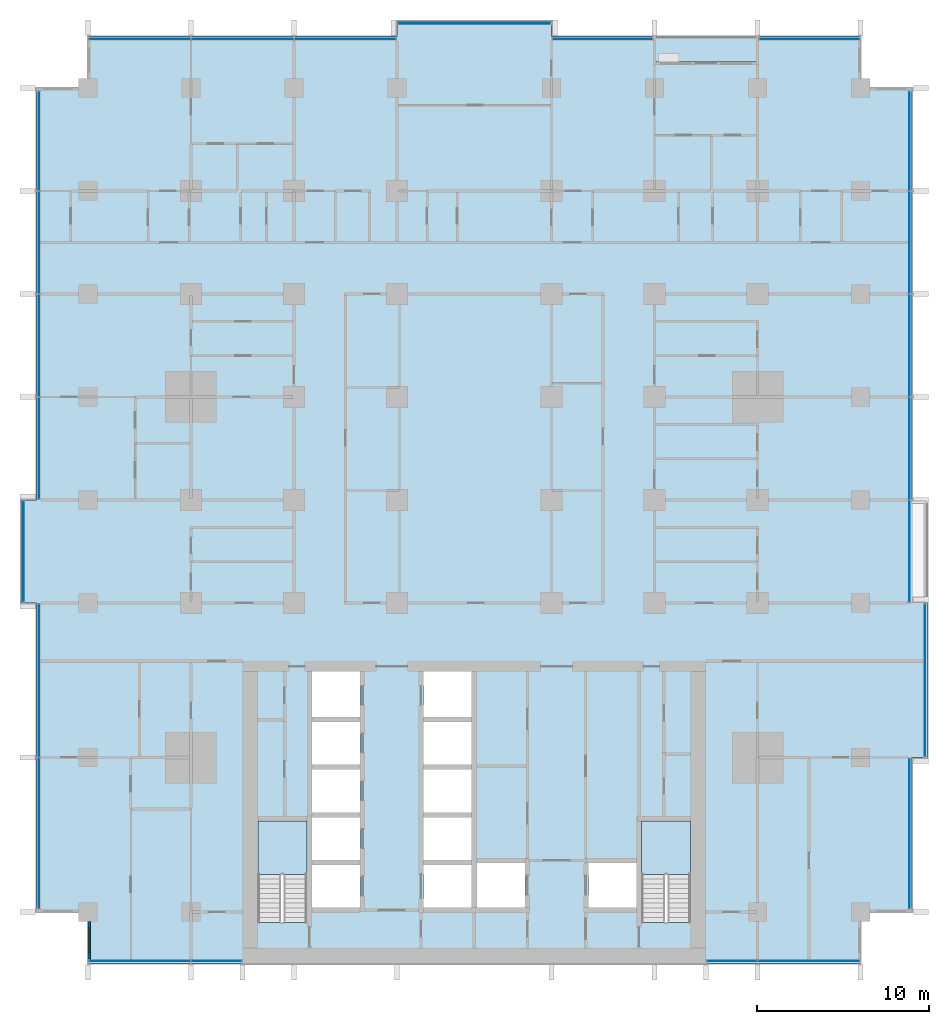
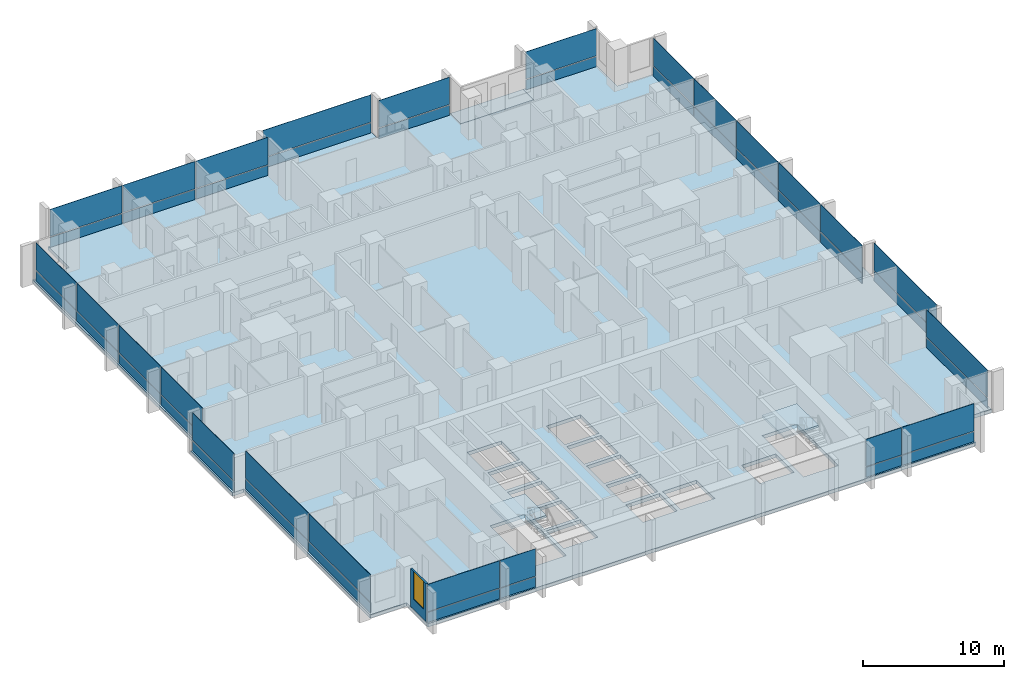
# One storey, part 6 of 18: 48 plates, 4 slabs, 1 wall, 1 window, 1 opening, 14 elements without a shape of their own.
"""IFC4 building model written with IfcOpenShell, lengths in metres."""

from ifc_helpers import new_model, si_unit, direction, frame, frame_2d, origin, origin_2d, place, context, subcontext, project, spatial, polyline, rectangle, outline, extrude, material, layer, layer_set, type_object, element, fill, aggregate, save


model = new_model("IFC4")

# Units and contexts
model_context = context("Model", 3, precision=1e-05, world=origin(), true_north=direction((0.0, 1.0)))
body_context = subcontext(model_context, "Body", "Model", "MODEL_VIEW")
ifc_project = project(units=[si_unit("LENGTHUNIT", "METRE"), si_unit("AREAUNIT", "SQUARE_METRE"), si_unit("VOLUMEUNIT", "CUBIC_METRE"), si_unit("PLANEANGLEUNIT", "RADIAN"), si_unit("MASSUNIT", "GRAM", prefix="KILO")], contexts=[model_context])

# Site, building, storey
site_placement = place(None, origin())
site = spatial("IfcSite", under=ifc_project, at=site_placement, CompositionType="ELEMENT")
building_placement = place(site_placement, origin())
building = spatial("IfcBuilding", under=site, at=building_placement, Name="Finial Court Residences", CompositionType="ELEMENT")
storey_placement = place(building_placement, frame((0.0, 0.0, 46.89990234375)))
storey = spatial("IfcBuildingStorey", under=building, at=storey_placement, Name="L10", CompositionType="ELEMENT", Elevation=46.89990234375)

# Slab
ifc_material_1 = material(Name="Concrete C35/45", Category="concrete")
ifc_layer_1 = layer(ifc_material_1, 0.199951171875)
ifc_layer_set_1 = layer_set([ifc_layer_1], Name="Balcony slab, Concrete C35/45 200")
slab_type_1 = type_object("IfcSlabType", Name="Balcony slab, Concrete C35/45 200", PredefinedType="FLOOR", material=ifc_layer_set_1)
slab_1_placement = place(storey_placement, frame((0.0, 0.0, -0.199951171875)))
element("IfcSlab", 1, at=slab_1_placement, inside=storey, type_object=slab_type_1, Name="Balcony L10-N6", PredefinedType="FLOOR", context=body_context, shape_type="SweptSolid", body=[
    extrude(outline(polyline([(16.5, 27.0), (16.5, 28.5), (10.5, 28.5), (10.5, 27.0), (16.5, 27.0)])), origin(), (0.0, 0.0, 1.0), 0.199951171875),
])

# Curtain wall, plates
ifc_material_2 = material(Name="Bronze anodised aluminium", Category="aluminium")
curtain_wall_type = type_object("IfcCurtainWallType", Name="Unitised curtain wall, lower and middle zones", PredefinedType="NOTDEFINED", material=ifc_material_2)
curtain_wall_1_placement = place(storey_placement, origin())
curtain_wall_1 = element("IfcCurtainWall", 2, at=curtain_wall_1_placement, inside=storey, type_object=curtain_wall_type, Name="E-L10-CW-N1", PredefinedType="NOTDEFINED")
ifc_layer_2 = layer(ifc_material_2, 0.0400390625)
ifc_layer_set_2 = layer_set([ifc_layer_2], Name="CW1 spandrel panel 40")
plate_type_1 = type_object("IfcPlateType", Name="CW1 spandrel panel 40", PredefinedType="CURTAIN_PANEL", material=ifc_layer_set_2)
plate_1_placement = place(storey_placement, frame((-19.48388671875, 28.35009765625, 0.0), z_axis=(0.0, 0.0, 1.0), x_axis=(1.0, 0.0, 0.0)))
plate_1 = element("IfcPlate", 3, at=plate_1_placement, type_object=plate_type_1, Name="CW1 spandrel 1.1", PredefinedType="CURTAIN_PANEL", context=body_context, shape_type="SweptSolid", body=[
    extrude(rectangle(XDim=5.902587890625, YDim=0.0400390625, at=origin_2d()), origin(), (0.0, 0.0, 1.0), 0.867431640625),
])
plate_2_placement = place(storey_placement, frame((-13.5, 28.35009765625, 0.0), z_axis=(0.0, 0.0, 1.0), x_axis=(1.0, 0.0, 0.0)))
plate_2 = element("IfcPlate", 4, at=plate_2_placement, type_object=plate_type_1, Name="CW1 spandrel 2.1", PredefinedType="CURTAIN_PANEL", context=body_context, shape_type="SweptSolid", body=[
    extrude(rectangle(XDim=5.93505859375, YDim=0.0400390625, at=origin_2d()), origin(), (0.0, 0.0, 1.0), 0.867431640625),
])
plate_3_placement = place(storey_placement, frame((-7.51611328125, 28.35009765625, 0.0), z_axis=(0.0, 0.0, 1.0), x_axis=(1.0, 0.0, 0.0)))
plate_3 = element("IfcPlate", 5, at=plate_3_placement, type_object=plate_type_1, Name="CW1 spandrel 3.1", PredefinedType="CURTAIN_PANEL", context=body_context, shape_type="SweptSolid", body=[
    extrude(rectangle(XDim=5.902587890625, YDim=0.0400390625, at=origin_2d()), origin(), (0.0, 0.0, 1.0), 0.867431640625),
])

# Curtain wall, plate
curtain_wall_2_placement = place(storey_placement, origin())
curtain_wall_2 = element("IfcCurtainWall", 6, at=curtain_wall_2_placement, inside=storey, type_object=curtain_wall_type, Name="E-L10-CW-N2", PredefinedType="NOTDEFINED")
plate_4_placement = place(storey_placement, frame((0.0, 29.25, 0.0), z_axis=(0.0, 0.0, 1.0), x_axis=(1.0, 0.0, 0.0)))
plate_4 = element("IfcPlate", 7, at=plate_4_placement, type_object=plate_type_1, Name="CW1 spandrel 1.1", PredefinedType="CURTAIN_PANEL", context=body_context, shape_type="SweptSolid", body=[
    extrude(rectangle(XDim=8.8701171875, YDim=0.0400390625, at=origin_2d()), origin(), (0.0, 0.0, 1.0), 0.867431640625),
])

curtain_wall_3_placement = place(storey_placement, origin())
curtain_wall_3 = element("IfcCurtainWall", 8, at=curtain_wall_3_placement, inside=storey, type_object=curtain_wall_type, Name="E-L10-CW-N3", PredefinedType="NOTDEFINED")
plate_5_placement = place(storey_placement, frame((7.46240234375, 28.35009765625, 0.0), z_axis=(0.0, 0.0, 1.0), x_axis=(1.0, 0.0, 0.0)))
plate_5 = element("IfcPlate", 9, at=plate_5_placement, type_object=plate_type_1, Name="CW1 spandrel 1.1", PredefinedType="CURTAIN_PANEL", context=body_context, shape_type="SweptSolid", body=[
    extrude(rectangle(XDim=5.794921875, YDim=0.0400390625, at=origin_2d()), origin(), (0.0, 0.0, 1.0), 0.867431640625),
])

curtain_wall_4_placement = place(storey_placement, origin())
curtain_wall_4 = element("IfcCurtainWall", 10, at=curtain_wall_4_placement, inside=storey, type_object=curtain_wall_type, Name="E-L10-CW-N4", PredefinedType="NOTDEFINED")
plate_6_placement = place(storey_placement, frame((19.53759765625, 28.35009765625, 0.0), z_axis=(0.0, 0.0, 1.0), x_axis=(1.0, 0.0, 0.0)))
plate_6 = element("IfcPlate", 11, at=plate_6_placement, type_object=plate_type_1, Name="CW1 spandrel 1.1", PredefinedType="CURTAIN_PANEL", context=body_context, shape_type="SweptSolid", body=[
    extrude(rectangle(XDim=5.794921875, YDim=0.0400390625, at=origin_2d()), origin(), (0.0, 0.0, 1.0), 0.867431640625),
])

curtain_wall_5_placement = place(storey_placement, origin())
curtain_wall_5 = element("IfcCurtainWall", 12, at=curtain_wall_5_placement, inside=storey, type_object=curtain_wall_type, Name="E-L10-CW-E5", PredefinedType="NOTDEFINED")
plate_7_placement = place(storey_placement, frame((25.35009765625, -17.925048828125, 0.0), z_axis=(0.0, 0.0, 1.0), x_axis=(0.0, 1.0, 0.0)))
plate_7 = element("IfcPlate", 13, at=plate_7_placement, type_object=plate_type_1, Name="CW1 spandrel 1.1", PredefinedType="CURTAIN_PANEL", context=body_context, shape_type="SweptSolid", body=[
    extrude(rectangle(XDim=8.719970703125, YDim=0.0400390625, at=origin_2d()), origin(), (0.0, 0.0, 1.0), 0.867431640625),
])

curtain_wall_6_placement = place(storey_placement, origin())
curtain_wall_6 = element("IfcCurtainWall", 14, at=curtain_wall_6_placement, inside=storey, type_object=curtain_wall_type, Name="E-L10-CW-E6", PredefinedType="NOTDEFINED")
plate_8_placement = place(storey_placement, frame((26.25, -9.0, 0.0), z_axis=(0.0, 0.0, 1.0), x_axis=(0.0, 1.0, 0.0)))
plate_8 = element("IfcPlate", 15, at=plate_8_placement, type_object=plate_type_1, Name="CW1 spandrel 1.1", PredefinedType="CURTAIN_PANEL", context=body_context, shape_type="SweptSolid", body=[
    extrude(rectangle(XDim=8.8701171875, YDim=0.0400390625, at=origin_2d()), origin(), (0.0, 0.0, 1.0), 0.867431640625),
])

# Curtain wall, plates
curtain_wall_7_placement = place(storey_placement, origin())
curtain_wall_7 = element("IfcCurtainWall", 16, at=curtain_wall_7_placement, inside=storey, type_object=curtain_wall_type, Name="E-L10-CW-E7", PredefinedType="NOTDEFINED")
plate_9_placement = place(storey_placement, frame((25.35009765625, -1.48388671875, 0.0), z_axis=(0.0, 0.0, 1.0), x_axis=(0.0, 1.0, 0.0)))
plate_9 = element("IfcPlate", 17, at=plate_9_placement, type_object=plate_type_1, Name="CW1 spandrel 1.1", PredefinedType="CURTAIN_PANEL", context=body_context, shape_type="SweptSolid", body=[
    extrude(rectangle(XDim=5.902587890625, YDim=0.0400390625, at=origin_2d()), origin(), (0.0, 0.0, 1.0), 0.867431640625),
])
plate_10_placement = place(storey_placement, frame((25.35009765625, 4.5, 0.0), z_axis=(0.0, 0.0, 1.0), x_axis=(0.0, 1.0, 0.0)))
plate_10 = element("IfcPlate", 18, at=plate_10_placement, type_object=plate_type_1, Name="CW1 spandrel 2.1", PredefinedType="CURTAIN_PANEL", context=body_context, shape_type="SweptSolid", body=[
    extrude(rectangle(XDim=5.93505859375, YDim=0.0400390625, at=origin_2d()), origin(), (0.0, 0.0, 1.0), 0.867431640625),
])
plate_11_placement = place(storey_placement, frame((25.35009765625, 10.5, 0.0), z_axis=(0.0, 0.0, 1.0), x_axis=(0.0, 1.0, 0.0)))
plate_11 = element("IfcPlate", 19, at=plate_11_placement, type_object=plate_type_1, Name="CW1 spandrel 3.1", PredefinedType="CURTAIN_PANEL", context=body_context, shape_type="SweptSolid", body=[
    extrude(rectangle(XDim=5.93505859375, YDim=0.0400390625, at=origin_2d()), origin(), (0.0, 0.0, 1.0), 0.867431640625),
])
plate_12_placement = place(storey_placement, frame((25.35009765625, 16.5, 0.0), z_axis=(0.0, 0.0, 1.0), x_axis=(0.0, 1.0, 0.0)))
plate_12 = element("IfcPlate", 20, at=plate_12_placement, type_object=plate_type_1, Name="CW1 spandrel 4.1", PredefinedType="CURTAIN_PANEL", context=body_context, shape_type="SweptSolid", body=[
    extrude(rectangle(XDim=5.93505859375, YDim=0.0400390625, at=origin_2d()), origin(), (0.0, 0.0, 1.0), 0.867431640625),
])
plate_13_placement = place(storey_placement, frame((25.35009765625, 22.40869140625, 0.0), z_axis=(0.0, 0.0, 1.0), x_axis=(0.0, 1.0, 0.0)))
plate_13 = element("IfcPlate", 21, at=plate_13_placement, type_object=plate_type_1, Name="CW1 spandrel 5.1", PredefinedType="CURTAIN_PANEL", context=body_context, shape_type="SweptSolid", body=[
    extrude(rectangle(XDim=5.75244140625, YDim=0.0400390625, at=origin_2d()), origin(), (0.0, 0.0, 1.0), 0.867431640625),
])

curtain_wall_8_placement = place(storey_placement, origin())
curtain_wall_8 = element("IfcCurtainWall", 22, at=curtain_wall_8_placement, inside=storey, type_object=curtain_wall_type, Name="E-L10-CW-S8", PredefinedType="NOTDEFINED")
plate_14_placement = place(storey_placement, frame((-19.48388671875, -25.35009765625, 0.0), z_axis=(0.0, 0.0, 1.0), x_axis=(1.0, 0.0, 0.0)))
plate_14 = element("IfcPlate", 23, at=plate_14_placement, type_object=plate_type_1, Name="CW1 spandrel 1.1", PredefinedType="CURTAIN_PANEL", context=body_context, shape_type="SweptSolid", body=[
    extrude(rectangle(XDim=5.902587890625, YDim=0.0400390625, at=origin_2d()), origin(), (0.0, 0.0, 1.0), 0.867431640625),
])
plate_15_placement = place(storey_placement, frame((-15.016357421875, -25.35009765625, 0.0), z_axis=(0.0, 0.0, 1.0), x_axis=(1.0, 0.0, 0.0)))
plate_15 = element("IfcPlate", 24, at=plate_15_placement, type_object=plate_type_1, Name="CW1 spandrel 2.1", PredefinedType="CURTAIN_PANEL", context=body_context, shape_type="SweptSolid", body=[
    extrude(rectangle(XDim=2.902587890625, YDim=0.0400390625, at=origin_2d()), origin(), (0.0, 0.0, 1.0), 0.867431640625),
])

curtain_wall_9_placement = place(storey_placement, origin())
curtain_wall_9 = element("IfcCurtainWall", 25, at=curtain_wall_9_placement, inside=storey, type_object=curtain_wall_type, Name="E-L10-CW-S9", PredefinedType="NOTDEFINED")
plate_16_placement = place(storey_placement, frame((15.016357421875, -25.35009765625, 0.0), z_axis=(0.0, 0.0, 1.0), x_axis=(1.0, 0.0, 0.0)))
plate_16 = element("IfcPlate", 26, at=plate_16_placement, type_object=plate_type_1, Name="CW1 spandrel 1.1", PredefinedType="CURTAIN_PANEL", context=body_context, shape_type="SweptSolid", body=[
    extrude(rectangle(XDim=2.902587890625, YDim=0.0400390625, at=origin_2d()), origin(), (0.0, 0.0, 1.0), 0.867431640625),
])
plate_17_placement = place(storey_placement, frame((19.48388671875, -25.35009765625, 0.0), z_axis=(0.0, 0.0, 1.0), x_axis=(1.0, 0.0, 0.0)))
plate_17 = element("IfcPlate", 27, at=plate_17_placement, type_object=plate_type_1, Name="CW1 spandrel 2.1", PredefinedType="CURTAIN_PANEL", context=body_context, shape_type="SweptSolid", body=[
    extrude(rectangle(XDim=5.902587890625, YDim=0.0400390625, at=origin_2d()), origin(), (0.0, 0.0, 1.0), 0.867431640625),
])

curtain_wall_10_placement = place(storey_placement, origin())
curtain_wall_10 = element("IfcCurtainWall", 28, at=curtain_wall_10_placement, inside=storey, type_object=curtain_wall_type, Name="E-L10-CW-W10", PredefinedType="NOTDEFINED")
plate_18_placement = place(storey_placement, frame((-25.35009765625, -17.90869140625, 0.0), z_axis=(0.0, 0.0, 1.0), x_axis=(0.0, 1.0, 0.0)))
plate_18 = element("IfcPlate", 29, at=plate_18_placement, type_object=plate_type_1, Name="CW1 spandrel 1.1", PredefinedType="CURTAIN_PANEL", context=body_context, shape_type="SweptSolid", body=[
    extrude(rectangle(XDim=8.75244140625, YDim=0.0400390625, at=origin_2d()), origin(), (0.0, 0.0, 1.0), 0.867431640625),
])
plate_19_placement = place(storey_placement, frame((-25.35009765625, -9.01611328125, 0.0), z_axis=(0.0, 0.0, 1.0), x_axis=(0.0, 1.0, 0.0)))
plate_19 = element("IfcPlate", 30, at=plate_19_placement, type_object=plate_type_1, Name="CW1 spandrel 2.1", PredefinedType="CURTAIN_PANEL", context=body_context, shape_type="SweptSolid", body=[
    extrude(rectangle(XDim=8.902587890625, YDim=0.0400390625, at=origin_2d()), origin(), (0.0, 0.0, 1.0), 0.867431640625),
])

# Curtain wall, plate
curtain_wall_11_placement = place(storey_placement, origin())
curtain_wall_11 = element("IfcCurtainWall", 31, at=curtain_wall_11_placement, inside=storey, type_object=curtain_wall_type, Name="E-L10-CW-W11", PredefinedType="NOTDEFINED")
plate_20_placement = place(storey_placement, frame((-26.25, -1.5, 0.0), z_axis=(0.0, 0.0, 1.0), x_axis=(0.0, 1.0, 0.0)))
plate_20 = element("IfcPlate", 32, at=plate_20_placement, type_object=plate_type_1, Name="CW1 spandrel 1.1", PredefinedType="CURTAIN_PANEL", context=body_context, shape_type="SweptSolid", body=[
    extrude(rectangle(XDim=5.8701171875, YDim=0.0400390625, at=origin_2d()), origin(), (0.0, 0.0, 1.0), 0.867431640625),
])

# Curtain wall, plates
curtain_wall_12_placement = place(storey_placement, origin())
curtain_wall_12 = element("IfcCurtainWall", 33, at=curtain_wall_12_placement, inside=storey, type_object=curtain_wall_type, Name="E-L10-CW-W12", PredefinedType="NOTDEFINED")
plate_21_placement = place(storey_placement, frame((-25.35009765625, 4.516357421875, 0.0), z_axis=(0.0, 0.0, 1.0), x_axis=(0.0, 1.0, 0.0)))
plate_21 = element("IfcPlate", 34, at=plate_21_placement, type_object=plate_type_1, Name="CW1 spandrel 1.1", PredefinedType="CURTAIN_PANEL", context=body_context, shape_type="SweptSolid", body=[
    extrude(rectangle(XDim=5.902587890625, YDim=0.0400390625, at=origin_2d()), origin(), (0.0, 0.0, 1.0), 0.867431640625),
])
plate_22_placement = place(storey_placement, frame((-25.35009765625, 10.5, 0.0), z_axis=(0.0, 0.0, 1.0), x_axis=(0.0, 1.0, 0.0)))
plate_22 = element("IfcPlate", 35, at=plate_22_placement, type_object=plate_type_1, Name="CW1 spandrel 2.1", PredefinedType="CURTAIN_PANEL", context=body_context, shape_type="SweptSolid", body=[
    extrude(rectangle(XDim=5.93505859375, YDim=0.0400390625, at=origin_2d()), origin(), (0.0, 0.0, 1.0), 0.867431640625),
])
plate_23_placement = place(storey_placement, frame((-25.35009765625, 16.5, 0.0), z_axis=(0.0, 0.0, 1.0), x_axis=(0.0, 1.0, 0.0)))
plate_23 = element("IfcPlate", 36, at=plate_23_placement, type_object=plate_type_1, Name="CW1 spandrel 3.1", PredefinedType="CURTAIN_PANEL", context=body_context, shape_type="SweptSolid", body=[
    extrude(rectangle(XDim=5.93505859375, YDim=0.0400390625, at=origin_2d()), origin(), (0.0, 0.0, 1.0), 0.867431640625),
])
plate_24_placement = place(storey_placement, frame((-25.35009765625, 22.40869140625, 0.0), z_axis=(0.0, 0.0, 1.0), x_axis=(0.0, 1.0, 0.0)))
plate_24 = element("IfcPlate", 37, at=plate_24_placement, type_object=plate_type_1, Name="CW1 spandrel 4.1", PredefinedType="CURTAIN_PANEL", context=body_context, shape_type="SweptSolid", body=[
    extrude(rectangle(XDim=5.75244140625, YDim=0.0400390625, at=origin_2d()), origin(), (0.0, 0.0, 1.0), 0.867431640625),
])

# Plate
ifc_material_3 = material(Name="Clear low-e glass", Category="glass")
ifc_layer_3 = layer(ifc_material_3, 0.031982421875)
ifc_layer_set_3 = layer_set([ifc_layer_3], Name="CW1 vision glass 32")
plate_type_2 = type_object("IfcPlateType", Name="CW1 vision glass 32", PredefinedType="CURTAIN_PANEL", material=ifc_layer_set_3)
plate_25_placement = place(storey_placement, frame((-19.48388671875, 28.35009765625, 0.9326171875), z_axis=(0.0, 0.0, 1.0), x_axis=(1.0, 0.0, 0.0)))
plate_25 = element("IfcPlate", 38, at=plate_25_placement, type_object=plate_type_2, Name="CW1 glass 1.2", PredefinedType="CURTAIN_PANEL", context=body_context, shape_type="SweptSolid", body=[
    extrude(rectangle(XDim=5.902587890625, YDim=0.031982421875, at=origin_2d()), origin(), (0.0, 0.0, 1.0), 2.367431640625),
])

plate_26_placement = place(storey_placement, frame((-13.5, 28.35009765625, 0.9326171875), z_axis=(0.0, 0.0, 1.0), x_axis=(1.0, 0.0, 0.0)))
plate_26 = element("IfcPlate", 39, at=plate_26_placement, type_object=plate_type_2, Name="CW1 glass 2.2", PredefinedType="CURTAIN_PANEL", context=body_context, shape_type="SweptSolid", body=[
    extrude(rectangle(XDim=5.93505859375, YDim=0.031982421875, at=origin_2d()), origin(), (0.0, 0.0, 1.0), 2.367431640625),
])

plate_27_placement = place(storey_placement, frame((-7.51611328125, 28.35009765625, 0.9326171875), z_axis=(0.0, 0.0, 1.0), x_axis=(1.0, 0.0, 0.0)))
plate_27 = element("IfcPlate", 40, at=plate_27_placement, type_object=plate_type_2, Name="CW1 glass 3.2", PredefinedType="CURTAIN_PANEL", context=body_context, shape_type="SweptSolid", body=[
    extrude(rectangle(XDim=5.902587890625, YDim=0.031982421875, at=origin_2d()), origin(), (0.0, 0.0, 1.0), 2.367431640625),
])

aggregate(curtain_wall_1, [plate_1, plate_25, plate_2, plate_26, plate_3, plate_27])

plate_28_placement = place(storey_placement, frame((0.0, 29.25, 0.9326171875), z_axis=(0.0, 0.0, 1.0), x_axis=(1.0, 0.0, 0.0)))
plate_28 = element("IfcPlate", 41, at=plate_28_placement, type_object=plate_type_2, Name="CW1 glass 1.2", PredefinedType="CURTAIN_PANEL", context=body_context, shape_type="SweptSolid", body=[
    extrude(rectangle(XDim=8.8701171875, YDim=0.031982421875, at=origin_2d()), origin(), (0.0, 0.0, 1.0), 2.367431640625),
])

aggregate(curtain_wall_2, [plate_4, plate_28])

plate_29_placement = place(storey_placement, frame((7.46240234375, 28.35009765625, 0.9326171875), z_axis=(0.0, 0.0, 1.0), x_axis=(1.0, 0.0, 0.0)))
plate_29 = element("IfcPlate", 42, at=plate_29_placement, type_object=plate_type_2, Name="CW1 glass 1.2", PredefinedType="CURTAIN_PANEL", context=body_context, shape_type="SweptSolid", body=[
    extrude(rectangle(XDim=5.794921875, YDim=0.031982421875, at=origin_2d()), origin(), (0.0, 0.0, 1.0), 2.367431640625),
])

aggregate(curtain_wall_3, [plate_5, plate_29])

plate_30_placement = place(storey_placement, frame((19.53759765625, 28.35009765625, 0.9326171875), z_axis=(0.0, 0.0, 1.0), x_axis=(1.0, 0.0, 0.0)))
plate_30 = element("IfcPlate", 43, at=plate_30_placement, type_object=plate_type_2, Name="CW1 glass 1.2", PredefinedType="CURTAIN_PANEL", context=body_context, shape_type="SweptSolid", body=[
    extrude(rectangle(XDim=5.794921875, YDim=0.031982421875, at=origin_2d()), origin(), (0.0, 0.0, 1.0), 2.367431640625),
])

aggregate(curtain_wall_4, [plate_6, plate_30])

plate_31_placement = place(storey_placement, frame((25.35009765625, -17.925048828125, 0.9326171875), z_axis=(0.0, 0.0, 1.0), x_axis=(0.0, 1.0, 0.0)))
plate_31 = element("IfcPlate", 44, at=plate_31_placement, type_object=plate_type_2, Name="CW1 glass 1.2", PredefinedType="CURTAIN_PANEL", context=body_context, shape_type="SweptSolid", body=[
    extrude(rectangle(XDim=8.719970703125, YDim=0.031982421875, at=origin_2d()), origin(), (0.0, 0.0, 1.0), 2.367431640625),
])

aggregate(curtain_wall_5, [plate_7, plate_31])

plate_32_placement = place(storey_placement, frame((26.25, -9.0, 0.9326171875), z_axis=(0.0, 0.0, 1.0), x_axis=(0.0, 1.0, 0.0)))
plate_32 = element("IfcPlate", 45, at=plate_32_placement, type_object=plate_type_2, Name="CW1 glass 1.2", PredefinedType="CURTAIN_PANEL", context=body_context, shape_type="SweptSolid", body=[
    extrude(rectangle(XDim=8.8701171875, YDim=0.031982421875, at=origin_2d()), origin(), (0.0, 0.0, 1.0), 2.367431640625),
])

aggregate(curtain_wall_6, [plate_8, plate_32])

plate_33_placement = place(storey_placement, frame((25.35009765625, -1.48388671875, 0.9326171875), z_axis=(0.0, 0.0, 1.0), x_axis=(0.0, 1.0, 0.0)))
plate_33 = element("IfcPlate", 46, at=plate_33_placement, type_object=plate_type_2, Name="CW1 glass 1.2", PredefinedType="CURTAIN_PANEL", context=body_context, shape_type="SweptSolid", body=[
    extrude(rectangle(XDim=5.902587890625, YDim=0.031982421875, at=origin_2d()), origin(), (0.0, 0.0, 1.0), 2.367431640625),
])

plate_34_placement = place(storey_placement, frame((25.35009765625, 4.5, 0.9326171875), z_axis=(0.0, 0.0, 1.0), x_axis=(0.0, 1.0, 0.0)))
plate_34 = element("IfcPlate", 47, at=plate_34_placement, type_object=plate_type_2, Name="CW1 glass 2.2", PredefinedType="CURTAIN_PANEL", context=body_context, shape_type="SweptSolid", body=[
    extrude(rectangle(XDim=5.93505859375, YDim=0.031982421875, at=origin_2d()), origin(), (0.0, 0.0, 1.0), 2.367431640625),
])

plate_35_placement = place(storey_placement, frame((25.35009765625, 10.5, 0.9326171875), z_axis=(0.0, 0.0, 1.0), x_axis=(0.0, 1.0, 0.0)))
plate_35 = element("IfcPlate", 48, at=plate_35_placement, type_object=plate_type_2, Name="CW1 glass 3.2", PredefinedType="CURTAIN_PANEL", context=body_context, shape_type="SweptSolid", body=[
    extrude(rectangle(XDim=5.93505859375, YDim=0.031982421875, at=origin_2d()), origin(), (0.0, 0.0, 1.0), 2.367431640625),
])

plate_36_placement = place(storey_placement, frame((25.35009765625, 16.5, 0.9326171875), z_axis=(0.0, 0.0, 1.0), x_axis=(0.0, 1.0, 0.0)))
plate_36 = element("IfcPlate", 49, at=plate_36_placement, type_object=plate_type_2, Name="CW1 glass 4.2", PredefinedType="CURTAIN_PANEL", context=body_context, shape_type="SweptSolid", body=[
    extrude(rectangle(XDim=5.93505859375, YDim=0.031982421875, at=origin_2d()), origin(), (0.0, 0.0, 1.0), 2.367431640625),
])

plate_37_placement = place(storey_placement, frame((25.35009765625, 22.40869140625, 0.9326171875), z_axis=(0.0, 0.0, 1.0), x_axis=(0.0, 1.0, 0.0)))
plate_37 = element("IfcPlate", 50, at=plate_37_placement, type_object=plate_type_2, Name="CW1 glass 5.2", PredefinedType="CURTAIN_PANEL", context=body_context, shape_type="SweptSolid", body=[
    extrude(rectangle(XDim=5.75244140625, YDim=0.031982421875, at=origin_2d()), origin(), (0.0, 0.0, 1.0), 2.367431640625),
])

aggregate(curtain_wall_7, [plate_9, plate_33, plate_10, plate_34, plate_11, plate_35, plate_12, plate_36, plate_13, plate_37])

plate_38_placement = place(storey_placement, frame((-19.48388671875, -25.35009765625, 0.9326171875), z_axis=(0.0, 0.0, 1.0), x_axis=(1.0, 0.0, 0.0)))
plate_38 = element("IfcPlate", 51, at=plate_38_placement, type_object=plate_type_2, Name="CW1 glass 1.2", PredefinedType="CURTAIN_PANEL", context=body_context, shape_type="SweptSolid", body=[
    extrude(rectangle(XDim=5.902587890625, YDim=0.031982421875, at=origin_2d()), origin(), (0.0, 0.0, 1.0), 2.367431640625),
])

plate_39_placement = place(storey_placement, frame((-15.016357421875, -25.35009765625, 0.9326171875), z_axis=(0.0, 0.0, 1.0), x_axis=(1.0, 0.0, 0.0)))
plate_39 = element("IfcPlate", 52, at=plate_39_placement, type_object=plate_type_2, Name="CW1 glass 2.2", PredefinedType="CURTAIN_PANEL", context=body_context, shape_type="SweptSolid", body=[
    extrude(rectangle(XDim=2.902587890625, YDim=0.031982421875, at=origin_2d()), origin(), (0.0, 0.0, 1.0), 2.367431640625),
])

aggregate(curtain_wall_8, [plate_14, plate_38, plate_15, plate_39])

plate_40_placement = place(storey_placement, frame((15.016357421875, -25.35009765625, 0.9326171875), z_axis=(0.0, 0.0, 1.0), x_axis=(1.0, 0.0, 0.0)))
plate_40 = element("IfcPlate", 53, at=plate_40_placement, type_object=plate_type_2, Name="CW1 glass 1.2", PredefinedType="CURTAIN_PANEL", context=body_context, shape_type="SweptSolid", body=[
    extrude(rectangle(XDim=2.902587890625, YDim=0.031982421875, at=origin_2d()), origin(), (0.0, 0.0, 1.0), 2.367431640625),
])

plate_41_placement = place(storey_placement, frame((19.48388671875, -25.35009765625, 0.9326171875), z_axis=(0.0, 0.0, 1.0), x_axis=(1.0, 0.0, 0.0)))
plate_41 = element("IfcPlate", 54, at=plate_41_placement, type_object=plate_type_2, Name="CW1 glass 2.2", PredefinedType="CURTAIN_PANEL", context=body_context, shape_type="SweptSolid", body=[
    extrude(rectangle(XDim=5.902587890625, YDim=0.031982421875, at=origin_2d()), origin(), (0.0, 0.0, 1.0), 2.367431640625),
])

aggregate(curtain_wall_9, [plate_16, plate_40, plate_17, plate_41])

plate_42_placement = place(storey_placement, frame((-25.35009765625, -17.90869140625, 0.9326171875), z_axis=(0.0, 0.0, 1.0), x_axis=(0.0, 1.0, 0.0)))
plate_42 = element("IfcPlate", 55, at=plate_42_placement, type_object=plate_type_2, Name="CW1 glass 1.2", PredefinedType="CURTAIN_PANEL", context=body_context, shape_type="SweptSolid", body=[
    extrude(rectangle(XDim=8.75244140625, YDim=0.031982421875, at=origin_2d()), origin(), (0.0, 0.0, 1.0), 2.367431640625),
])

plate_43_placement = place(storey_placement, frame((-25.35009765625, -9.01611328125, 0.9326171875), z_axis=(0.0, 0.0, 1.0), x_axis=(0.0, 1.0, 0.0)))
plate_43 = element("IfcPlate", 56, at=plate_43_placement, type_object=plate_type_2, Name="CW1 glass 2.2", PredefinedType="CURTAIN_PANEL", context=body_context, shape_type="SweptSolid", body=[
    extrude(rectangle(XDim=8.902587890625, YDim=0.031982421875, at=origin_2d()), origin(), (0.0, 0.0, 1.0), 2.367431640625),
])

aggregate(curtain_wall_10, [plate_18, plate_42, plate_19, plate_43])

plate_44_placement = place(storey_placement, frame((-26.25, -1.5, 0.9326171875), z_axis=(0.0, 0.0, 1.0), x_axis=(0.0, 1.0, 0.0)))
plate_44 = element("IfcPlate", 57, at=plate_44_placement, type_object=plate_type_2, Name="CW1 glass 1.2", PredefinedType="CURTAIN_PANEL", context=body_context, shape_type="SweptSolid", body=[
    extrude(rectangle(XDim=5.8701171875, YDim=0.031982421875, at=origin_2d()), origin(), (0.0, 0.0, 1.0), 2.367431640625),
])

aggregate(curtain_wall_11, [plate_20, plate_44])

plate_45_placement = place(storey_placement, frame((-25.35009765625, 4.516357421875, 0.9326171875), z_axis=(0.0, 0.0, 1.0), x_axis=(0.0, 1.0, 0.0)))
plate_45 = element("IfcPlate", 58, at=plate_45_placement, type_object=plate_type_2, Name="CW1 glass 1.2", PredefinedType="CURTAIN_PANEL", context=body_context, shape_type="SweptSolid", body=[
    extrude(rectangle(XDim=5.902587890625, YDim=0.031982421875, at=origin_2d()), origin(), (0.0, 0.0, 1.0), 2.367431640625),
])

plate_46_placement = place(storey_placement, frame((-25.35009765625, 10.5, 0.9326171875), z_axis=(0.0, 0.0, 1.0), x_axis=(0.0, 1.0, 0.0)))
plate_46 = element("IfcPlate", 59, at=plate_46_placement, type_object=plate_type_2, Name="CW1 glass 2.2", PredefinedType="CURTAIN_PANEL", context=body_context, shape_type="SweptSolid", body=[
    extrude(rectangle(XDim=5.93505859375, YDim=0.031982421875, at=origin_2d()), origin(), (0.0, 0.0, 1.0), 2.367431640625),
])

plate_47_placement = place(storey_placement, frame((-25.35009765625, 16.5, 0.9326171875), z_axis=(0.0, 0.0, 1.0), x_axis=(0.0, 1.0, 0.0)))
plate_47 = element("IfcPlate", 60, at=plate_47_placement, type_object=plate_type_2, Name="CW1 glass 3.2", PredefinedType="CURTAIN_PANEL", context=body_context, shape_type="SweptSolid", body=[
    extrude(rectangle(XDim=5.93505859375, YDim=0.031982421875, at=origin_2d()), origin(), (0.0, 0.0, 1.0), 2.367431640625),
])

plate_48_placement = place(storey_placement, frame((-25.35009765625, 22.40869140625, 0.9326171875), z_axis=(0.0, 0.0, 1.0), x_axis=(0.0, 1.0, 0.0)))
plate_48 = element("IfcPlate", 61, at=plate_48_placement, type_object=plate_type_2, Name="CW1 glass 4.2", PredefinedType="CURTAIN_PANEL", context=body_context, shape_type="SweptSolid", body=[
    extrude(rectangle(XDim=5.75244140625, YDim=0.031982421875, at=origin_2d()), origin(), (0.0, 0.0, 1.0), 2.367431640625),
])

aggregate(curtain_wall_12, [plate_21, plate_45, plate_22, plate_46, plate_23, plate_47, plate_24, plate_48])

# Stair, slab
ifc_material_4 = material(Name="Concrete C50/60", Category="concrete")
stair_type = type_object("IfcStairType", Name="Exit stair 22 risers of 163.6 mm", PredefinedType="HALF_TURN_STAIR", material=ifc_material_4)
stair_1_placement = place(storey_placement, origin())
stair_1 = element("IfcStair", 62, at=stair_1_placement, inside=storey, type_object=stair_type, Name="L10 Exit stair ST-1", PredefinedType="HALF_TURN_STAIR")
ifc_layer_4 = layer(ifc_material_4, 0.199951171875)
ifc_layer_set_4 = layer_set([ifc_layer_4], Name="Exit stair landing")
slab_type_2 = type_object("IfcSlabType", Name="Exit stair landing", PredefinedType="LANDING", material=ifc_layer_set_4)
slab_2_placement = place(storey_placement, frame((0.0, 0.0, 1.60009765625)))
slab_2 = element("IfcSlab", 63, at=slab_2_placement, type_object=slab_type_2, Name="ST-1 landing 1", PredefinedType="LANDING", context=body_context, shape_type="SweptSolid", body=[
    extrude(outline(polyline([(-9.75, -20.300048828125), (-9.75, -17.199951171875), (-12.60009765625, -17.199951171875), (-12.60009765625, -20.300048828125), (-9.75, -20.300048828125)])), origin(), (0.0, 0.0, 1.0), 0.199951171875),
])
aggregate(stair_1, [slab_2])

stair_2_placement = place(storey_placement, origin())
stair_2 = element("IfcStair", 64, at=stair_2_placement, inside=storey, type_object=stair_type, Name="L10 Exit stair ST-2", PredefinedType="HALF_TURN_STAIR")
slab_3_placement = place(storey_placement, frame((0.0, 0.0, 1.60009765625)))
slab_3 = element("IfcSlab", 65, at=slab_3_placement, type_object=slab_type_2, Name="ST-2 landing 1", PredefinedType="LANDING", context=body_context, shape_type="SweptSolid", body=[
    extrude(outline(polyline([(12.60009765625, -20.300048828125), (12.60009765625, -17.199951171875), (9.75, -17.199951171875), (9.75, -20.300048828125), (12.60009765625, -20.300048828125)])), origin(), (0.0, 0.0, 1.0), 0.199951171875),
])
aggregate(stair_2, [slab_3])

# Slab
ifc_material_5 = material(Name="Concrete C40/50", Category="concrete")
ifc_layer_5 = layer(ifc_material_5, 0.300048828125)
ifc_layer_set_5 = layer_set([ifc_layer_5], Name="Flat plate slab 300 Concrete C40/50")
slab_type_3 = type_object("IfcSlabType", Name="Flat plate slab 300 Concrete C40/50", PredefinedType="FLOOR", material=ifc_layer_set_5)
slab_4_placement = place(storey_placement, frame((0.0, 0.0, -0.2998046875)))
element("IfcSlab", 66, at=slab_4_placement, inside=storey, type_object=slab_type_3, Name="S:SLAB:L10", PredefinedType="FLOOR", context=body_context, shape_type="SweptSolid", body=[
    extrude(outline(polyline([(26.39990234375, 1.5), (26.39990234375, -4.5), (26.39990234375, -13.5), (25.5, -13.5), (25.5, -22.5), (22.5, -22.5), (22.5, -25.5), (-22.5, -25.5), (-22.5, -22.5), (-25.5, -22.5), (-25.5, -4.5), (-26.39990234375, -4.5), (-26.39990234375, 1.5), (-25.5, 1.5), (-25.5, 25.5), (-22.5, 25.5), (-22.5, 28.5), (-4.5, 28.5), (-4.5, 29.39990234375), (4.5, 29.39990234375), (4.5, 28.5), (10.5, 28.5), (10.5, 27.0), (16.5, 27.0), (16.5, 28.5), (22.5, 28.5), (22.5, 25.5), (25.5, 25.5), (25.5, 1.5), (26.39990234375, 1.5)]), holes=[polyline([(-6.64990234375, -19.77001953125), (-9.449951171875, -19.77001953125), (-9.449951171875, -22.25), (-6.64990234375, -22.25), (-6.64990234375, -19.77001953125)]), polyline([(-9.75, -17.199951171875), (-12.60009765625, -17.199951171875), (-12.60009765625, -23.09912109375), (-9.75, -23.09912109375), (-9.75, -17.199951171875)]), polyline([(-6.64990234375, -19.469970703125), (-6.64990234375, -16.989990234375), (-9.449951171875, -16.989990234375), (-9.449951171875, -19.469970703125), (-6.64990234375, -19.469970703125)]), polyline([(-6.64990234375, -16.68994140625), (-6.64990234375, -14.2099609375), (-9.449951171875, -14.2099609375), (-9.449951171875, -16.68994140625), (-6.64990234375, -16.68994140625)]), polyline([(-6.64990234375, -13.909912109375), (-6.64990234375, -11.429931640625), (-9.449951171875, -11.429931640625), (-9.449951171875, -13.909912109375), (-6.64990234375, -13.909912109375)]), polyline([(-6.64990234375, -11.1298828125), (-6.64990234375, -8.5), (-9.449951171875, -8.5), (-9.449951171875, -11.1298828125), (-6.64990234375, -11.1298828125)]), polyline([(-0.14990234375, -11.1298828125), (-0.14990234375, -8.5), (-2.949951171875, -8.5), (-2.949951171875, -11.1298828125), (-0.14990234375, -11.1298828125)]), polyline([(-0.14990234375, -19.77001953125), (-2.949951171875, -19.77001953125), (-2.949951171875, -22.25), (-0.14990234375, -22.25), (-0.14990234375, -19.77001953125)]), polyline([(2.949951171875, -22.25), (2.949951171875, -19.64990234375), (0.14990234375, -19.64990234375), (0.14990234375, -22.25), (2.949951171875, -22.25)]), polyline([(9.449951171875, -22.25), (9.449951171875, -19.64990234375), (6.64990234375, -19.64990234375), (6.64990234375, -22.25), (9.449951171875, -22.25)]), polyline([(12.60009765625, -17.199951171875), (9.75, -17.199951171875), (9.75, -23.09912109375), (12.60009765625, -23.09912109375), (12.60009765625, -17.199951171875)]), polyline([(-0.14990234375, -19.469970703125), (-0.14990234375, -16.989990234375), (-2.949951171875, -16.989990234375), (-2.949951171875, -19.469970703125), (-0.14990234375, -19.469970703125)]), polyline([(-0.14990234375, -16.68994140625), (-0.14990234375, -14.2099609375), (-2.949951171875, -14.2099609375), (-2.949951171875, -16.68994140625), (-0.14990234375, -16.68994140625)]), polyline([(-0.14990234375, -13.909912109375), (-0.14990234375, -11.429931640625), (-2.949951171875, -11.429931640625), (-2.949951171875, -13.909912109375), (-0.14990234375, -13.909912109375)])]), origin(), (0.0, 0.0, 1.0), 0.2998046875),
])

# Wall, opening, window
ifc_material_6 = material(Name="Natural limestone", Category="masonry")
ifc_layer_6 = layer(ifc_material_6, 0.14990234375)
ifc_layer_set_6 = layer_set([ifc_layer_6], Name="Limestone clad wall 150")
wall_type = type_object("IfcWallType", Name="Limestone clad wall 150", PredefinedType="SOLIDWALL", material=ifc_layer_set_6)
wall_placement = place(storey_placement, frame((-22.425048828125, -25.25, 0.0), z_axis=(0.0, 0.0, 1.0), x_axis=(0.0, 1.0, 0.0)))
wall = element("IfcWall", 67, at=wall_placement, inside=storey, type_object=wall_type, Name="E-L10-NWW13", PredefinedType="SOLIDWALL", context=body_context, shape_type="SweptSolid", body=[
    extrude(rectangle(XDim=2.199951171875, YDim=0.14990234375, at=frame_2d((1.10009765625, 0.0))), origin(), (0.0, 0.0, 1.0), 3.300048828125),
])
opening_placement = place(wall_placement, frame((0.39990234375, 0.0, 0.89990234375)))
opening = element("IfcOpeningElement", 68, at=opening_placement, cuts=wall, Name="Opening WE10-01", PredefinedType="OPENING", context=body_context, shape_type="SweptSolid", body=[
    extrude(rectangle(XDim=1.39990234375, YDim=2.39990234375, at=frame_2d((0.699951171875, 1.199951171875))), frame((0.0, 0.0849609375, 0.0), z_axis=(0.0, -1.0, 0.0), x_axis=(1.0, 0.0, 0.0)), (0.0, 0.0, 1.0), 0.169921875),
])
window_type = type_object("IfcWindowType", Name="Corner window 1400 x 2400", PartitioningType="SINGLE_PANEL", PredefinedType="WINDOW", material=ifc_material_3)
window_placement = place(opening_placement, origin())
window = element("IfcWindow", 69, at=window_placement, inside=storey, type_object=window_type, Name="E-L10-NWW13-W1", OverallHeight=2.39990234375, OverallWidth=1.39990234375, PartitioningType="SINGLE_PANEL", PredefinedType="WINDOW", context=body_context, shape_type="SweptSolid", body=[
    extrude(rectangle(XDim=1.39990234375, YDim=2.39990234375, at=frame_2d((0.699951171875, 1.199951171875))), frame((0.0, 0.030029296875, 0.0), z_axis=(0.0, -1.0, 0.0), x_axis=(1.0, 0.0, 0.0)), (0.0, 0.0, 1.0), 0.06005859375),
])
fill(opening, window)

save(model, "model.ifc")
